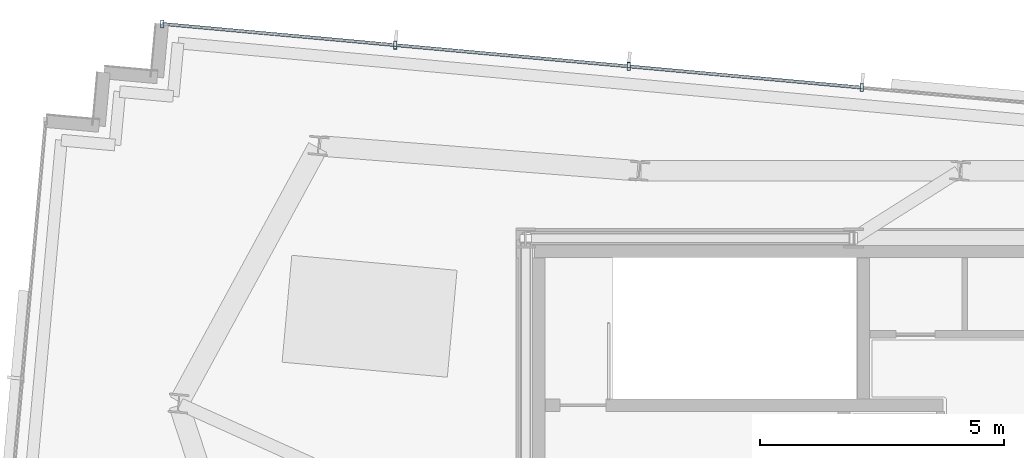
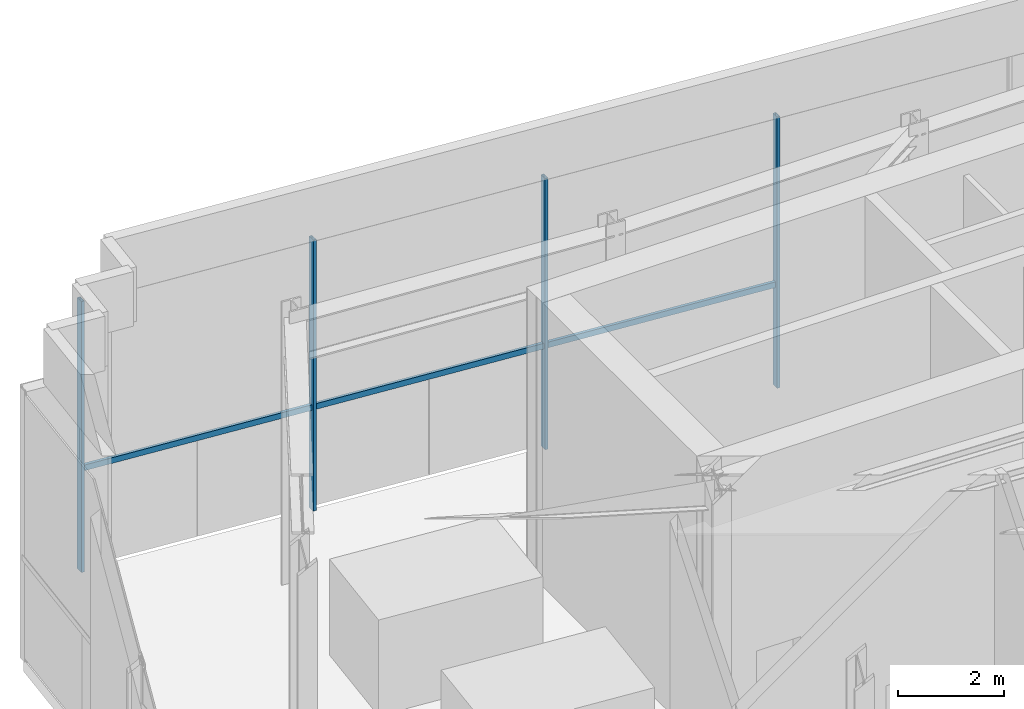
# One storey, part 10 of 18: 7 members, 1 element without a shape of its own.
"""IFC4 building model written with IfcOpenShell, lengths in metres."""

from ifc_helpers import new_model, si_unit, direction, frame, origin, origin_2d, place, context, subcontext, project, spatial, hollow_rectangle, extrude, source, transform, mapped, material, material_profile, profile_set, type_object, type_shapes, element, aggregate, save


model = new_model("IFC4")

# Units and contexts
model_context = context("Model", 3, precision=1e-05, world=origin(), true_north=direction((0.0, 1.0)))
body_context = subcontext(model_context, "Body", "Model", "MODEL_VIEW")
ifc_project = project(units=[si_unit("LENGTHUNIT", "METRE"), si_unit("AREAUNIT", "SQUARE_METRE"), si_unit("VOLUMEUNIT", "CUBIC_METRE"), si_unit("PLANEANGLEUNIT", "RADIAN"), si_unit("MASSUNIT", "GRAM", prefix="KILO")], contexts=[model_context])

# Site, building, storey
site_placement = place(None, origin())
site = spatial("IfcSite", under=ifc_project, at=site_placement, CompositionType="ELEMENT")
building_placement = place(site_placement, origin())
building = spatial("IfcBuilding", under=site, at=building_placement, Name="Astriad Promenade Condominiums", CompositionType="ELEMENT")
storey_placement = place(building_placement, frame((0.0, 0.0, 290.300048828125)))
storey = spatial("IfcBuildingStorey", under=building, at=storey_placement, Name="L80", CompositionType="ELEMENT", Elevation=290.300048828125)

# Curtain wall, members
ifc_material_1 = material(Name="Anodised aluminium Black Dark Glass Unitised", Category="aluminium")
curtain_wall_type = type_object("IfcCurtainWallType", Name="CW-TMD-LANTERN", PredefinedType="USERDEFINED", material=ifc_material_1)
curtain_wall_placement = place(storey_placement, origin())
curtain_wall = element("IfcCurtainWall", 1, at=curtain_wall_placement, inside=storey, type_object=curtain_wall_type, Name="CW-CRN-L80-08", ObjectType="UNITISED_CURTAIN_WALL", PredefinedType="USERDEFINED")
ifc_material_2 = material(Name="Anodised aluminium 6063-T6 Black", Category="aluminium")
ifc_material_profile_1 = material_profile(ifc_material_2, hollow_rectangle(XDim=0.06494140625, YDim=0.159912109375, WallThickness=0.00390625, at=origin_2d()), Name="ALU-MUL-65X160")
ifc_profile_set_1 = profile_set([ifc_material_profile_1], Name="Anodised aluminium 6063-T6 Black")
member_type_1 = type_object("IfcMemberType", Name="MUL-ALU-MUL-65X160", PredefinedType="MULLION", material=ifc_profile_set_1)
shared_shape_1 = source(origin(), body_context, "Body", "SweptSolid", [
    extrude(hollow_rectangle(XDim=0.06494140625, YDim=0.159912109375, WallThickness=0.00390625, at=origin_2d()), origin(), (0.0, 0.0, 1.0), 6.219970703125),
])
type_shapes(member_type_1, [shared_shape_1])
member_1_placement = place(storey_placement, frame((18.948974609375, 28.391845703125, 0.0), z_axis=(0.0, 0.0, 1.0), x_axis=(1.0, 0.0, 0.0)))
member_1 = element("IfcMember", 2, at=member_1_placement, type_object=member_type_1, Name="CW-CRN-L80-08-MUL-00", PredefinedType="MULLION", context=body_context, shape_type="MappedRepresentation", body=[
    mapped(shared_shape_1, transform((0.0, 0.0, 0.0), scale=1.0)),
])
member_2_placement = place(storey_placement, frame((23.72900390625, 27.956787109375, 0.0), z_axis=(0.0, 0.0, 1.0), x_axis=(1.0, 0.0, 0.0)))
member_2 = element("IfcMember", 3, at=member_2_placement, type_object=member_type_1, Name="CW-CRN-L80-08-MUL-01", PredefinedType="MULLION", context=body_context, shape_type="MappedRepresentation", body=[
    mapped(shared_shape_1, transform((0.0, 0.0, 0.0), scale=1.0)),
])
member_3_placement = place(storey_placement, frame((28.509521484375, 27.521728515625, 0.0), z_axis=(0.0, 0.0, 1.0), x_axis=(1.0, 0.0, 0.0)))
member_3 = element("IfcMember", 4, at=member_3_placement, type_object=member_type_1, Name="CW-CRN-L80-08-MUL-02", PredefinedType="MULLION", context=body_context, shape_type="MappedRepresentation", body=[
    mapped(shared_shape_1, transform((0.0, 0.0, 0.0), scale=1.0)),
])
member_4_placement = place(storey_placement, frame((33.28955078125, 27.086669921875, 0.0), z_axis=(0.0, 0.0, 1.0), x_axis=(1.0, 0.0, 0.0)))
member_4 = element("IfcMember", 5, at=member_4_placement, type_object=member_type_1, Name="CW-CRN-L80-08-MUL-03", PredefinedType="MULLION", context=body_context, shape_type="MappedRepresentation", body=[
    mapped(shared_shape_1, transform((0.0, 0.0, 0.0), scale=1.0)),
])
ifc_material_profile_2 = material_profile(ifc_material_2, hollow_rectangle(XDim=0.06494140625, YDim=0.1298828125, WallThickness=0.00390625, at=origin_2d()), Name="ALU-TRN-65X130")
ifc_profile_set_2 = profile_set([ifc_material_profile_2], Name="Anodised aluminium 6063-T6 Black")
member_type_2 = type_object("IfcMemberType", Name="TRN-ALU-TRN-65X130", PredefinedType="USERDEFINED", material=ifc_profile_set_2)
shared_shape_2 = source(origin(), body_context, "Body", "SweptSolid", [
    extrude(hollow_rectangle(XDim=0.06494140625, YDim=0.1298828125, WallThickness=0.00390625, at=origin_2d()), origin(), (0.0, 0.0, 1.0), 4.7998046875),
])
member_5_placement = place(storey_placement, frame((18.948974609375, 28.391845703125, 2.349853515625), z_axis=(0.9958836116, -0.090641227635, 0.0), x_axis=(0.090641227635, 0.9958836116, 0.0)))
member_5 = element("IfcMember", 6, at=member_5_placement, type_object=member_type_2, Name="CW-CRN-L80-08-TRN-00-0", ObjectType="TRANSOM", PredefinedType="USERDEFINED", context=body_context, shape_type="MappedRepresentation", body=[
    mapped(shared_shape_2, transform((0.0, 0.0, 0.0), scale=1.0)),
])
member_6_placement = place(storey_placement, frame((28.509521484375, 27.521728515625, 2.349853515625), z_axis=(0.9958836116, -0.090641227635, 0.0), x_axis=(0.090641227635, 0.9958836116, 0.0)))
member_6 = element("IfcMember", 7, at=member_6_placement, type_object=member_type_2, Name="CW-CRN-L80-08-TRN-02-0", ObjectType="TRANSOM", PredefinedType="USERDEFINED", context=body_context, shape_type="MappedRepresentation", body=[
    mapped(shared_shape_2, transform((0.0, 0.0, 0.0), scale=1.0)),
])
shared_shape_3 = source(origin(), body_context, "Body", "SweptSolid", [
    extrude(hollow_rectangle(XDim=0.06494140625, YDim=0.1298828125, WallThickness=0.00390625, at=origin_2d()), origin(), (0.0, 0.0, 1.0), 4.80029296875),
])
type_shapes(member_type_2, [shared_shape_2, shared_shape_3])
member_7_placement = place(storey_placement, frame((23.72900390625, 27.956787109375, 2.349853515625), z_axis=(0.995884447267, -0.090632045607, 0.0), x_axis=(0.090632045607, 0.995884447267, 0.0)))
member_7 = element("IfcMember", 8, at=member_7_placement, type_object=member_type_2, Name="CW-CRN-L80-08-TRN-01-0", ObjectType="TRANSOM", PredefinedType="USERDEFINED", context=body_context, shape_type="MappedRepresentation", body=[
    mapped(shared_shape_3, transform((0.0, 0.0, 0.0), scale=1.0)),
])
aggregate(curtain_wall, [member_1, member_2, member_3, member_4, member_5, member_7, member_6])

save(model, "model.ifc")
